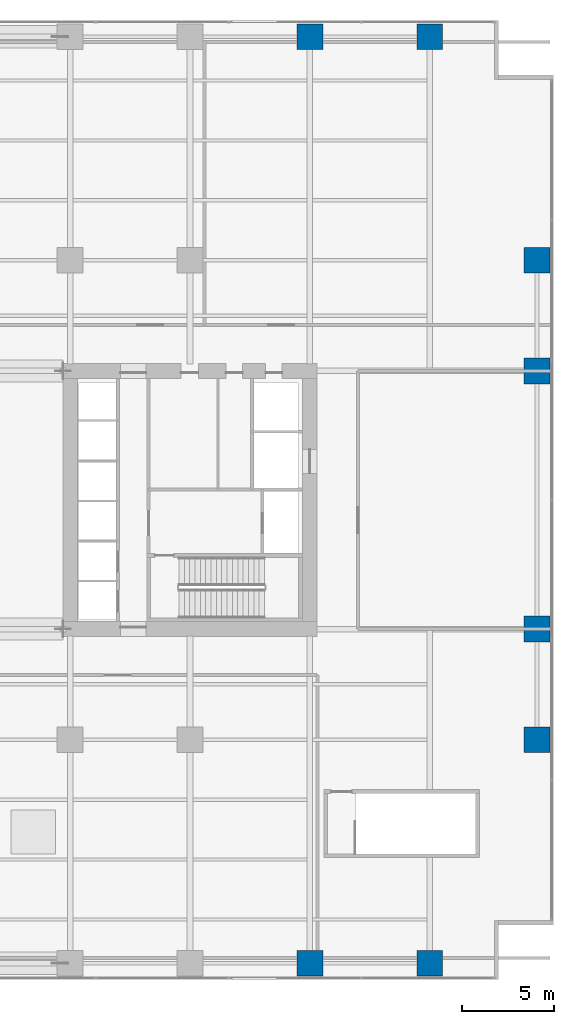
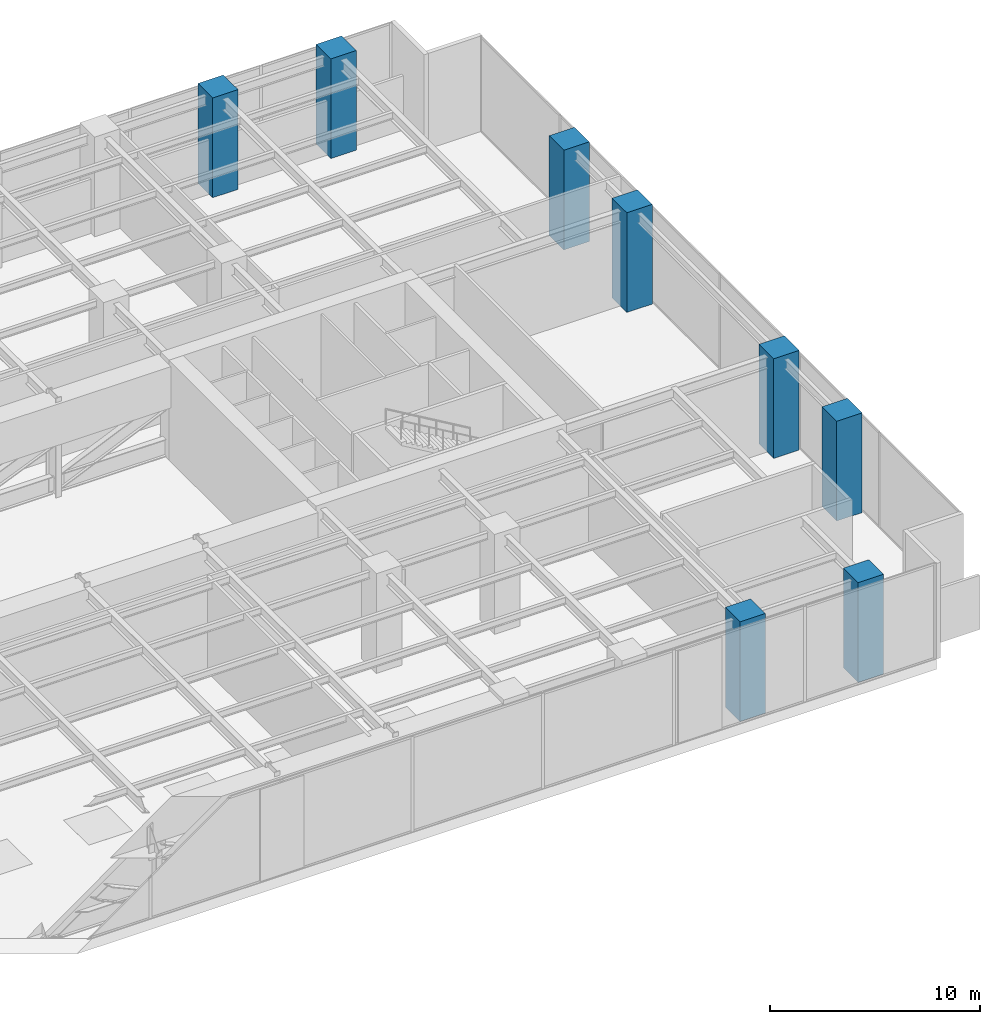
# One storey, part 2 of 25: 8 columns.
"""IFC4 building model written with IfcOpenShell, lengths in metres."""

from ifc_helpers import new_model, si_unit, direction, frame, origin, origin_2d, place, context, subcontext, project, spatial, rectangle, extrude, material, material_profile, profile_set, type_object, element, save


model = new_model("IFC4")

# Units and contexts
model_context = context("Model", 3, precision=1e-05, world=origin(), true_north=direction((0.0, 1.0)))
body_context = subcontext(model_context, "Body", "Model", "MODEL_VIEW")
ifc_project = project(units=[si_unit("LENGTHUNIT", "METRE"), si_unit("AREAUNIT", "SQUARE_METRE"), si_unit("VOLUMEUNIT", "CUBIC_METRE"), si_unit("PLANEANGLEUNIT", "RADIAN"), si_unit("MASSUNIT", "GRAM", prefix="KILO")], contexts=[model_context])

# Site, building, storey
site_placement = place(None, origin())
site = spatial("IfcSite", under=ifc_project, at=site_placement, CompositionType="ELEMENT")
building_placement = place(site_placement, origin())
building = spatial("IfcBuilding", under=site, at=building_placement, Name="Putna Gate Headquarters", CompositionType="ELEMENT")
storey_placement = place(building_placement, frame((0.0, 0.0, 22.0)))
storey = spatial("IfcBuildingStorey", under=building, at=storey_placement, Name="L04", CompositionType="ELEMENT", Elevation=22.0)

# Columns
ifc_material = material(Name="Concrete C60/75", Category="concrete")
ifc_material_profile = material_profile(ifc_material, rectangle(XDim=1.39990234375, YDim=1.39990234375, at=origin_2d()), Name="Concrete C60/75")
ifc_profile_set = profile_set([ifc_material_profile], Name="Concrete C60/75")
column_type = type_object("IfcColumnType", Name="COL-RC1400-EXT", PredefinedType="COLUMN", material=ifc_profile_set)
for number, where, z_axis, x_axis, name in (
    (1, (65.0, 0.8798828125, 0.0), (0.0, 0.0, 1.0), (1.0, 0.0, 0.0), "L04 Column CP-S65"),
    (2, (65.0, 51.1201171875, 0.0), (0.0, 0.0, 1.0), (1.0, 0.0, 0.0), "L04 Column CP-N65"),
    (3, (71.5, 0.8798828125, 0.0), (0.0, 0.0, 1.0), (1.0, 0.0, 0.0), "L04 Column CP-S71"),
    (4, (71.5, 51.1201171875, 0.0), (0.0, 0.0, 1.0), (1.0, 0.0, 0.0), "L04 Column CP-N71"),
    (5, (77.320068359375, 13.0, 0.0), (0.0, 0.0, 1.0), (1.0, 0.0, 0.0), "L04 Column CP-E13"),
    (6, (77.320068359375, 19.0, 0.0), (0.0, 0.0, 1.0), (1.0, 0.0, 0.0), "L04 Column CP-E19"),
    (7, (77.320068359375, 33.0, 0.0), (0.0, 0.0, 1.0), (1.0, 0.0, 0.0), "L04 Column CP-E33"),
    (8, (77.320068359375, 39.0, 0.0), (0.0, 0.0, 1.0), (1.0, 0.0, 0.0), "L04 Column CP-E39"),
):
    element("IfcColumn", number, at=place(storey_placement, frame(where, z_axis=z_axis, x_axis=x_axis)), inside=storey, type_object=column_type, Name=name, PredefinedType="COLUMN", context=body_context, shape_type="SweptSolid", body=[
        extrude(rectangle(XDim=1.39990234375, YDim=1.39990234375, at=origin_2d()), origin(), (0.0, 0.0, 1.0), 5.800048828125),
    ])

save(model, "model.ifc")
